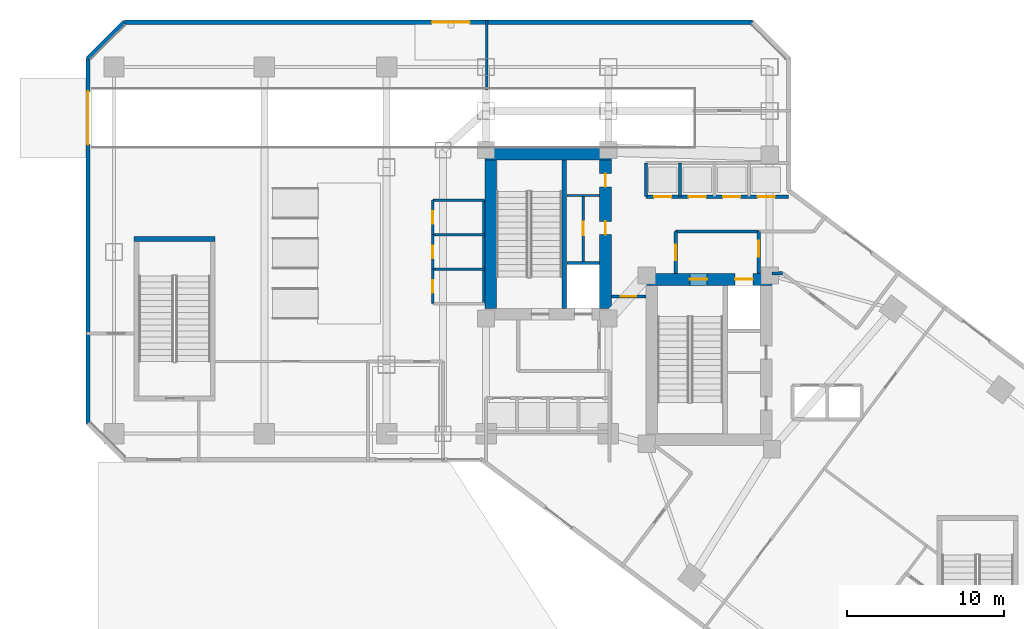
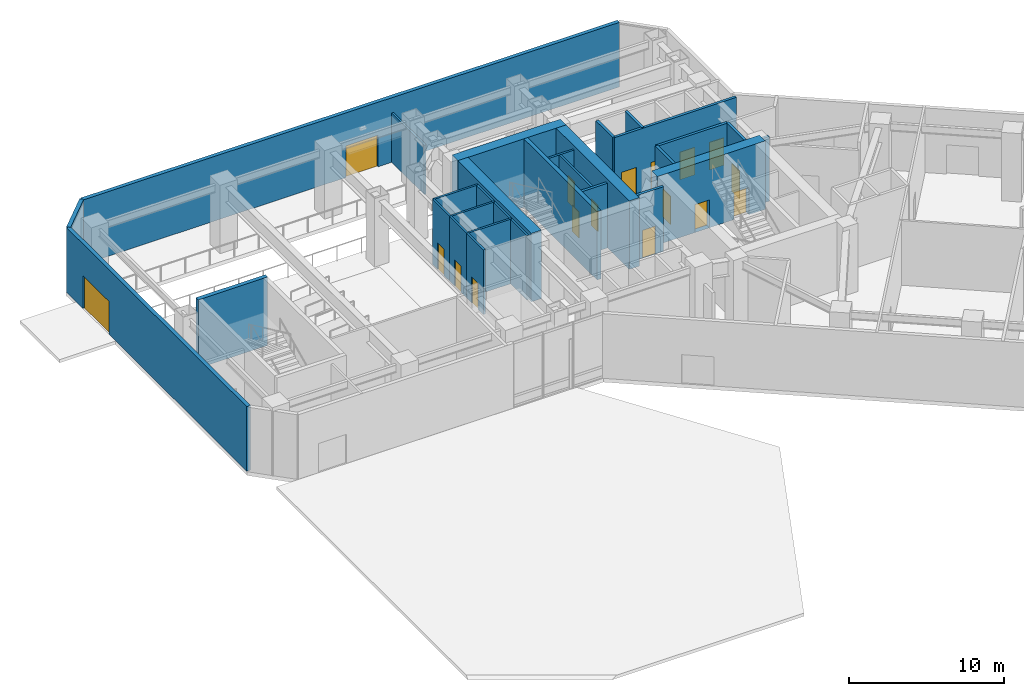
# One storey, part 6 of 13: 28 walls, 17 doors, 17 openings.
"""IFC4 building model written with IfcOpenShell, lengths in metres."""

from ifc_helpers import new_model, si_unit, direction, frame, frame_2d, origin, place, context, subcontext, project, spatial, rectangle, extrude, material, layer, layer_set, type_object, element, fill, save


model = new_model("IFC4")

# Units and contexts
model_context = context("Model", 3, precision=1e-05, world=origin(), true_north=direction((0.0, 1.0)))
body_context = subcontext(model_context, "Body", "Model", "MODEL_VIEW")
ifc_project = project(units=[si_unit("LENGTHUNIT", "METRE"), si_unit("AREAUNIT", "SQUARE_METRE"), si_unit("VOLUMEUNIT", "CUBIC_METRE"), si_unit("PLANEANGLEUNIT", "RADIAN"), si_unit("MASSUNIT", "GRAM", prefix="KILO")], contexts=[model_context])

# Site, building, storey
site_placement = place(None, origin())
site = spatial("IfcSite", under=ifc_project, at=site_placement, CompositionType="ELEMENT")
building_placement = place(site_placement, origin())
building = spatial("IfcBuilding", under=site, at=building_placement, Name="Hatsunagi Terrace Concourse", CompositionType="ELEMENT")
storey_placement = place(building_placement, origin())
storey = spatial("IfcBuildingStorey", under=building, at=storey_placement, Name="L01", CompositionType="ELEMENT", Elevation=0.0)

# Walls
ifc_material_1 = material(Name="Concrete Fc60", Category="concrete")
ifc_layer_1 = layer(ifc_material_1, 0.75)
ifc_layer_set_1 = layer_set([ifc_layer_1], Name="CoreShearWall_Fc60_750")
wall_type_1 = type_object("IfcWallType", Name="CoreShearWall_Fc60_750", PredefinedType="SHEAR", material=ifc_layer_set_1)
wall_1_placement = place(storey_placement, frame((25.469970703125, 43.044921875, 0.0), z_axis=(0.0, 0.0, 1.0), x_axis=(1.0, 0.0, 0.0)))
element("IfcWall", 1, at=wall_1_placement, inside=storey, type_object=wall_type_1, Name="Core A Shear Wall N L01", PredefinedType="SHEAR", context=body_context, shape_type="SweptSolid", body=[
    extrude(rectangle(XDim=8.080078125, YDim=0.75, at=frame_2d((4.0400390625, 0.0))), origin(), (0.0, 0.0, 1.0), 5.39990234375),
])
wall_2_placement = place(storey_placement, frame((25.844970703125, 33.18994140625, 0.0), z_axis=(0.0, 0.0, 1.0), x_axis=(0.0, 1.0, 0.0)))
element("IfcWall", 2, at=wall_2_placement, inside=storey, type_object=wall_type_1, Name="Core A Shear Wall W L01", PredefinedType="SHEAR", context=body_context, shape_type="SweptSolid", body=[
    extrude(rectangle(XDim=9.47998046875, YDim=0.75, at=frame_2d((4.739990234375, 0.0))), origin(), (0.0, 0.0, 1.0), 5.39990234375),
])

# Wall, openings, doors
wall_3_placement = place(storey_placement, frame((33.175048828125, 33.18994140625, 0.0), z_axis=(0.0, 0.0, 1.0), x_axis=(0.0, 1.0, 0.0)))
wall_3 = element("IfcWall", 3, at=wall_3_placement, inside=storey, type_object=wall_type_1, Name="Core A Shear Wall E L01", PredefinedType="SHEAR", context=body_context, shape_type="SweptSolid", body=[
    extrude(rectangle(XDim=9.47998046875, YDim=0.75, at=frame_2d((4.739990234375, 0.0))), origin(), (0.0, 0.0, 1.0), 5.39990234375),
])
opening_1_placement = place(wall_3_placement, frame((4.7099609375, 0.0, 0.0)))
opening_1 = element("IfcOpeningElement", 4, at=opening_1_placement, cuts=wall_3, Name="Opening DR-085", PredefinedType="OPENING", context=body_context, shape_type="SweptSolid", body=[
    extrude(rectangle(XDim=0.85009765625, YDim=2.080078125, at=frame_2d((0.425048828125, 1.0400390625))), frame((0.0, 0.385009765625, 0.0), z_axis=(0.0, -1.0, 0.0), x_axis=(1.0, 0.0, 0.0)), (0.0, 0.0, 1.0), 0.77001953125),
])
opening_2_placement = place(wall_3_placement, frame((7.760009765625, 0.0, 0.0)))
opening_2 = element("IfcOpeningElement", 5, at=opening_2_placement, cuts=wall_3, Name="Opening DR-085", PredefinedType="OPENING", context=body_context, shape_type="SweptSolid", body=[
    extrude(rectangle(XDim=0.85009765625, YDim=2.080078125, at=frame_2d((0.425048828125, 1.0400390625))), frame((0.0, 0.385009765625, 0.0), z_axis=(0.0, -1.0, 0.0), x_axis=(1.0, 0.0, 0.0)), (0.0, 0.0, 1.0), 0.77001953125),
])
ifc_material_2 = material(Name="Painted steel", Category="steel")
door_type_1 = type_object("IfcDoorType", Name="RiserAccessDoor_EI60_850", OperationType="NOTDEFINED", PredefinedType="DOOR", material=ifc_material_2)
door_1_placement = place(opening_1_placement, origin())
door_1 = element("IfcDoor", 6, at=door_1_placement, inside=storey, type_object=door_type_1, Name="Core A Riser Door L01-1", OperationType="SINGLE_SWING_LEFT", OverallHeight=2.080078125, OverallWidth=0.85009765625, PredefinedType="DOOR", context=body_context, shape_type="SweptSolid", body=[
    extrude(rectangle(XDim=0.85009765625, YDim=2.080078125, at=frame_2d((0.425048828125, 1.0400390625))), frame((0.0, 0.02490234375, 0.0), z_axis=(0.0, -1.0, 0.0), x_axis=(1.0, 0.0, 0.0)), (0.0, 0.0, 1.0), 0.050048828125),
])
fill(opening_1, door_1)
door_2_placement = place(opening_2_placement, origin())
door_2 = element("IfcDoor", 7, at=door_2_placement, inside=storey, type_object=door_type_1, Name="Core A Riser Door L01-2", OperationType="SINGLE_SWING_LEFT", OverallHeight=2.080078125, OverallWidth=0.85009765625, PredefinedType="DOOR", context=body_context, shape_type="SweptSolid", body=[
    extrude(rectangle(XDim=0.85009765625, YDim=2.080078125, at=frame_2d((0.425048828125, 1.0400390625))), frame((0.0, 0.02490234375, 0.0), z_axis=(0.0, -1.0, 0.0), x_axis=(1.0, 0.0, 0.0)), (0.0, 0.0, 1.0), 0.050048828125),
])
fill(opening_2, door_2)

wall_4_placement = place(storey_placement, frame((35.739990234375, 35.044921875, 0.0), z_axis=(0.0, 0.0, 1.0), x_axis=(1.0, 0.0, 0.0)))
wall_4 = element("IfcWall", 8, at=wall_4_placement, inside=storey, type_object=wall_type_1, Name="Core B Shear Wall N L01", PredefinedType="SHEAR", context=body_context, shape_type="SweptSolid", body=[
    extrude(rectangle(XDim=8.06005859375, YDim=0.75, at=frame_2d((4.030029296875, 0.0))), origin(), (0.0, 0.0, 1.0), 5.39990234375),
])
opening_3_placement = place(wall_4_placement, frame((2.81005859375, 0.0, 0.0)))
opening_3 = element("IfcOpeningElement", 9, at=opening_3_placement, cuts=wall_4, Name="Opening DR-110S", PredefinedType="OPENING", context=body_context, shape_type="SweptSolid", body=[
    extrude(rectangle(XDim=1.10009765625, YDim=2.199951171875, at=frame_2d((0.550048828125, 1.10009765625))), frame((0.0, 0.385009765625, 0.0), z_axis=(0.0, -1.0, 0.0), x_axis=(1.0, 0.0, 0.0)), (0.0, 0.0, 1.0), 0.77001953125),
])
opening_4_placement = place(wall_4_placement, frame((5.7099609375, 0.0, 0.0)))
opening_4 = element("IfcOpeningElement", 10, at=opening_4_placement, cuts=wall_4, Name="Opening LD-02", PredefinedType="OPENING", context=body_context, shape_type="SweptSolid", body=[
    extrude(rectangle(XDim=1.1201171875, YDim=2.14990234375, at=frame_2d((0.56005859375, 1.074951171875))), frame((0.0, 0.385009765625, 0.0), z_axis=(0.0, -1.0, 0.0), x_axis=(1.0, 0.0, 0.0)), (0.0, 0.0, 1.0), 0.77001953125),
])
ifc_material_3 = material(Name="Stainless steel", Category="steel")
door_type_2 = type_object("IfcDoorType", Name="LiftLandingDoor_LD02", OperationType="SLIDING_TO_RIGHT", PredefinedType="USERDEFINED", material=ifc_material_3)
door_3_placement = place(opening_4_placement, origin())
door_3 = element("IfcDoor", 11, at=door_3_placement, inside=storey, type_object=door_type_2, Name="Lift landing door FF-02 L01", ObjectType="SLIDING_LANDING_DOOR", OperationType="SLIDING_TO_RIGHT", OverallHeight=2.14990234375, OverallWidth=1.1201171875, PredefinedType="USERDEFINED", context=body_context, shape_type="SweptSolid", body=[
    extrude(rectangle(XDim=1.1201171875, YDim=2.14990234375, at=frame_2d((0.56005859375, 1.074951171875))), frame((0.0, 0.02490234375, 0.0), z_axis=(0.0, -1.0, 0.0), x_axis=(1.0, 0.0, 0.0)), (0.0, 0.0, 1.0), 0.050048828125),
])
fill(opening_4, door_3)
ifc_material_4 = material(Name="Painted steel", Category="steel")
door_type_3 = type_object("IfcDoorType", Name="StairFireDoor_EI60_1100", OperationType="NOTDEFINED", PredefinedType="DOOR", material=ifc_material_4)
door_4_placement = place(opening_3_placement, origin())
door_4 = element("IfcDoor", 12, at=door_4_placement, inside=storey, type_object=door_type_3, Name="Stair ST-B Exit Door L01", OperationType="SINGLE_SWING_RIGHT", OverallHeight=2.199951171875, OverallWidth=1.10009765625, PredefinedType="DOOR", context=body_context, shape_type="SweptSolid", body=[
    extrude(rectangle(XDim=1.10009765625, YDim=2.199951171875, at=frame_2d((0.550048828125, 1.10009765625))), frame((0.0, 0.02490234375, 0.0), z_axis=(0.0, -1.0, 0.0), x_axis=(1.0, 0.0, 0.0)), (0.0, 0.0, 1.0), 0.050048828125),
])
fill(opening_3, door_4)

# Walls
ifc_material_5 = material(Name="Concrete Fc48", Category="concrete")
ifc_layer_2 = layer(ifc_material_5, 0.300048828125)
ifc_layer_set_2 = layer_set([ifc_layer_2], Name="CoreStairDivider_Fc48_300")
wall_type_2 = type_object("IfcWallType", Name="CoreStairDivider_Fc48_300", PredefinedType="SHEAR", material=ifc_layer_set_2)
wall_5_placement = place(storey_placement, frame((30.5400390625, 33.18994140625, 0.0), z_axis=(0.0, 0.0, 1.0), x_axis=(0.0, 1.0, 0.0)))
element("IfcWall", 13, at=wall_5_placement, inside=storey, type_object=wall_type_2, Name="Core A Shear Wall D L01", PredefinedType="SHEAR", context=body_context, shape_type="SweptSolid", body=[
    extrude(rectangle(XDim=9.47998046875, YDim=0.300048828125, at=frame_2d((4.739990234375, 0.0))), origin(), (0.0, 0.0, 1.0), 5.39990234375),
])
wall_6_placement = place(storey_placement, frame((3.090087890625, 37.6201171875, 0.0), z_axis=(0.0, 0.0, 1.0), x_axis=(1.0, 0.0, 0.0)))
element("IfcWall", 14, at=wall_6_placement, inside=storey, type_object=wall_type_2, Name="Podium Stair P1 Shear Wall N L01", PredefinedType="SHEAR", context=body_context, shape_type="SweptSolid", body=[
    extrude(rectangle(XDim=5.169921875, YDim=0.300048828125, at=frame_2d((2.5849609375, 0.0))), origin(), (0.0, 0.0, 1.0), 5.39990234375),
])

# Wall, opening, door
ifc_material_6 = material(Name="Acoustic mineral board", Category="gypsum")
ifc_layer_3 = layer(ifc_material_6, 0.14990234375)
ifc_layer_set_3 = layer_set([ifc_layer_3], Name="PartitionWall_EI60_150")
wall_type_3 = type_object("IfcWallType", Name="PartitionWall_EI60_150", PredefinedType="PARTITIONING", material=ifc_layer_set_3)
wall_7_placement = place(storey_placement, frame((31.75, 36.179931640625, 0.0), z_axis=(0.0, 0.0, 1.0), x_axis=(0.0, 1.0, 0.0)))
wall_7 = element("IfcWall", 15, at=wall_7_placement, inside=storey, type_object=wall_type_3, Name="Interior Partition IW-L01-002", PredefinedType="PARTITIONING", context=body_context, shape_type="SweptSolid", body=[
    extrude(rectangle(XDim=4.239990234375, YDim=0.14990234375, at=frame_2d((2.1201171875, 0.0))), origin(), (0.0, 0.0, 1.0), 5.10009765625),
])
opening_5_placement = place(wall_7_placement, frame((1.695068359375, 0.0, 0.0)))
opening_5 = element("IfcOpeningElement", 16, at=opening_5_placement, cuts=wall_7, Name="Opening DR-085", PredefinedType="OPENING", context=body_context, shape_type="SweptSolid", body=[
    extrude(rectangle(XDim=0.85009765625, YDim=2.080078125, at=frame_2d((0.425048828125, 1.0400390625))), frame((0.0, 0.0849609375, 0.0), z_axis=(0.0, -1.0, 0.0), x_axis=(1.0, 0.0, 0.0)), (0.0, 0.0, 1.0), 0.169921875),
])
door_5_placement = place(opening_5_placement, origin())
door_5 = element("IfcDoor", 17, at=door_5_placement, inside=storey, type_object=door_type_1, Name="Core A Sub-Riser Door L01", OperationType="SINGLE_SWING_LEFT", OverallHeight=2.080078125, OverallWidth=0.85009765625, PredefinedType="DOOR", context=body_context, shape_type="SweptSolid", body=[
    extrude(rectangle(XDim=0.85009765625, YDim=2.080078125, at=frame_2d((0.425048828125, 1.0400390625))), frame((0.0, 0.02490234375, 0.0), z_axis=(0.0, -1.0, 0.0), x_axis=(1.0, 0.0, 0.0)), (0.0, 0.0, 1.0), 0.050048828125),
])
fill(opening_5, door_5)

# Walls
wall_8_placement = place(storey_placement, frame((30.699951171875, 40.39990234375, 0.0), z_axis=(0.0, 0.0, 1.0), x_axis=(1.0, 0.0, 0.0)))
element("IfcWall", 18, at=wall_8_placement, inside=storey, type_object=wall_type_3, Name="Interior Partition IW-L01-003", PredefinedType="PARTITIONING", context=body_context, shape_type="SweptSolid", body=[
    extrude(rectangle(XDim=2.10009765625, YDim=0.14990234375, at=frame_2d((1.050048828125, 0.0))), origin(), (0.0, 0.0, 1.0), 5.10009765625),
])
wall_9_placement = place(storey_placement, frame((22.14990234375, 40.10009765625, 0.0), z_axis=(0.0, 0.0, 1.0), x_axis=(1.0, 0.0, 0.0)))
element("IfcWall", 19, at=wall_9_placement, inside=storey, type_object=wall_type_3, Name="Interior Partition IW-L01-031", PredefinedType="PARTITIONING", context=body_context, shape_type="SweptSolid", body=[
    extrude(rectangle(XDim=3.300048828125, YDim=0.14990234375, at=frame_2d((1.64990234375, 0.0))), origin(), (0.0, 0.0, 1.0), 5.10009765625),
])
wall_10_placement = place(storey_placement, frame((25.39990234375, 33.5, 0.0), z_axis=(0.0, 0.0, 1.0), x_axis=(0.0, 1.0, 0.0)))
element("IfcWall", 20, at=wall_10_placement, inside=storey, type_object=wall_type_3, Name="Interior Partition IW-L01-032", PredefinedType="PARTITIONING", context=body_context, shape_type="SweptSolid", body=[
    extrude(rectangle(XDim=6.60009765625, YDim=0.14990234375, at=frame_2d((3.300048828125, 0.0))), origin(), (0.0, 0.0, 1.0), 5.10009765625),
])
for number, where, z_axis, x_axis, name in (
    (21, (22.14990234375, 35.699951171875, 0.0), (0.0, 0.0, 1.0), (1.0, 0.0, 0.0), "Interior Partition IW-L01-033"),
    (22, (22.14990234375, 37.89990234375, 0.0), (0.0, 0.0, 1.0), (1.0, 0.0, 0.0), "Interior Partition IW-L01-034"),
):
    element("IfcWall", number, at=place(storey_placement, frame(where, z_axis=z_axis, x_axis=x_axis)), inside=storey, type_object=wall_type_3, Name=name, PredefinedType="PARTITIONING", context=body_context, shape_type="SweptSolid", body=[
        extrude(rectangle(XDim=3.300048828125, YDim=0.14990234375, at=frame_2d((1.64990234375, 0.0))), origin(), (0.0, 0.0, 1.0), 5.10009765625),
    ])

# Wall, opening, door
wall_11_placement = place(storey_placement, frame((22.14990234375, 33.5, 0.0), z_axis=(0.0, 0.0, 1.0), x_axis=(0.0, 1.0, 0.0)))
wall_11 = element("IfcWall", 23, at=wall_11_placement, inside=storey, type_object=wall_type_3, Name="Interior Partition IW-L01-035", PredefinedType="PARTITIONING", context=body_context, shape_type="SweptSolid", body=[
    extrude(rectangle(XDim=2.199951171875, YDim=0.14990234375, at=frame_2d((1.10009765625, 0.0))), origin(), (0.0, 0.0, 1.0), 5.10009765625),
])
opening_6_placement = place(wall_11_placement, frame((0.699951171875, 0.0, 0.0)))
opening_6 = element("IfcOpeningElement", 24, at=opening_6_placement, cuts=wall_11, Name="Opening DR-080", PredefinedType="OPENING", context=body_context, shape_type="SweptSolid", body=[
    extrude(rectangle(XDim=0.800048828125, YDim=2.06005859375, at=frame_2d((0.39990234375, 1.030029296875))), frame((0.0, 0.0849609375, 0.0), z_axis=(0.0, -1.0, 0.0), x_axis=(1.0, 0.0, 0.0)), (0.0, 0.0, 1.0), 0.169921875),
])
ifc_material_7 = material(Name="Hardwood timber", Category="wood")
door_type_4 = type_object("IfcDoorType", Name="BathroomDoor_800", OperationType="NOTDEFINED", PredefinedType="DOOR", material=ifc_material_7)
door_6_placement = place(opening_6_placement, origin())
door_6 = element("IfcDoor", 25, at=door_6_placement, inside=storey, type_object=door_type_4, Name="Accessible WC Door L01", OperationType="SINGLE_SWING_LEFT", OverallHeight=2.06005859375, OverallWidth=0.800048828125, PredefinedType="DOOR", context=body_context, shape_type="SweptSolid", body=[
    extrude(rectangle(XDim=0.800048828125, YDim=2.06005859375, at=frame_2d((0.39990234375, 1.030029296875))), frame((0.0, 0.02490234375, 0.0), z_axis=(0.0, -1.0, 0.0), x_axis=(1.0, 0.0, 0.0)), (0.0, 0.0, 1.0), 0.050048828125),
])
fill(opening_6, door_6)

wall_12_placement = place(storey_placement, frame((22.14990234375, 35.699951171875, 0.0), z_axis=(0.0, 0.0, 1.0), x_axis=(0.0, 1.0, 0.0)))
wall_12 = element("IfcWall", 26, at=wall_12_placement, inside=storey, type_object=wall_type_3, Name="Interior Partition IW-L01-036", PredefinedType="PARTITIONING", context=body_context, shape_type="SweptSolid", body=[
    extrude(rectangle(XDim=2.199951171875, YDim=0.14990234375, at=frame_2d((1.10009765625, 0.0))), origin(), (0.0, 0.0, 1.0), 5.10009765625),
])
opening_7_placement = place(wall_12_placement, frame((0.699951171875, 0.0, 0.0)))
opening_7 = element("IfcOpeningElement", 27, at=opening_7_placement, cuts=wall_12, Name="Opening DR-080", PredefinedType="OPENING", context=body_context, shape_type="SweptSolid", body=[
    extrude(rectangle(XDim=0.800048828125, YDim=2.06005859375, at=frame_2d((0.39990234375, 1.030029296875))), frame((0.0, 0.0849609375, 0.0), z_axis=(0.0, -1.0, 0.0), x_axis=(1.0, 0.0, 0.0)), (0.0, 0.0, 1.0), 0.169921875),
])
door_7_placement = place(opening_7_placement, origin())
door_7 = element("IfcDoor", 28, at=door_7_placement, inside=storey, type_object=door_type_4, Name="Female Restroom Door L01", OperationType="SINGLE_SWING_LEFT", OverallHeight=2.06005859375, OverallWidth=0.800048828125, PredefinedType="DOOR", context=body_context, shape_type="SweptSolid", body=[
    extrude(rectangle(XDim=0.800048828125, YDim=2.06005859375, at=frame_2d((0.39990234375, 1.030029296875))), frame((0.0, 0.02490234375, 0.0), z_axis=(0.0, -1.0, 0.0), x_axis=(1.0, 0.0, 0.0)), (0.0, 0.0, 1.0), 0.050048828125),
])
fill(opening_7, door_7)

wall_13_placement = place(storey_placement, frame((22.14990234375, 37.89990234375, 0.0), z_axis=(0.0, 0.0, 1.0), x_axis=(0.0, 1.0, 0.0)))
wall_13 = element("IfcWall", 29, at=wall_13_placement, inside=storey, type_object=wall_type_3, Name="Interior Partition IW-L01-037", PredefinedType="PARTITIONING", context=body_context, shape_type="SweptSolid", body=[
    extrude(rectangle(XDim=2.2001953125, YDim=0.14990234375, at=frame_2d((1.10009765625, 0.0))), origin(), (0.0, 0.0, 1.0), 5.10009765625),
])
opening_8_placement = place(wall_13_placement, frame((0.699951171875, 0.0, 0.0)))
opening_8 = element("IfcOpeningElement", 30, at=opening_8_placement, cuts=wall_13, Name="Opening DR-080", PredefinedType="OPENING", context=body_context, shape_type="SweptSolid", body=[
    extrude(rectangle(XDim=0.800048828125, YDim=2.06005859375, at=frame_2d((0.39990234375, 1.030029296875))), frame((0.0, 0.0849609375, 0.0), z_axis=(0.0, -1.0, 0.0), x_axis=(1.0, 0.0, 0.0)), (0.0, 0.0, 1.0), 0.169921875),
])
door_8_placement = place(opening_8_placement, origin())
door_8 = element("IfcDoor", 31, at=door_8_placement, inside=storey, type_object=door_type_4, Name="Male Restroom Door L01", OperationType="SINGLE_SWING_RIGHT", OverallHeight=2.06005859375, OverallWidth=0.800048828125, PredefinedType="DOOR", context=body_context, shape_type="SweptSolid", body=[
    extrude(rectangle(XDim=0.800048828125, YDim=2.06005859375, at=frame_2d((0.39990234375, 1.030029296875))), frame((0.0, 0.02490234375, 0.0), z_axis=(0.0, -1.0, 0.0), x_axis=(1.0, 0.0, 0.0)), (0.0, 0.0, 1.0), 0.050048828125),
])
fill(opening_8, door_8)

# Walls
wall_14_placement = place(storey_placement, frame((25.60009765625, 47.1201171875, 0.0), z_axis=(0.0, 0.0, 1.0), x_axis=(0.0, 1.0, 0.0)))
element("IfcWall", 32, at=wall_14_placement, inside=storey, type_object=wall_type_3, Name="Interior Partition IW-L01-063", PredefinedType="PARTITIONING", context=body_context, shape_type="SweptSolid", body=[
    extrude(rectangle(XDim=4.43994140625, YDim=0.14990234375, at=frame_2d((2.219970703125, 0.0))), origin(), (0.0, 0.0, 1.0), 3.89501953125),
])
ifc_material_8 = material(Name="Acoustic mineral board", Category="gypsum")
ifc_layer_4 = layer(ifc_material_8, 0.199951171875)
ifc_layer_set_4 = layer_set([ifc_layer_4], Name="ShaftWall_EI120_200")
wall_type_4 = type_object("IfcWallType", Name="ShaftWall_EI120_200", PredefinedType="STANDARD", material=ifc_layer_set_4)
wall_15_placement = place(storey_placement, frame((30.699951171875, 36.10009765625, 0.0), z_axis=(0.0, 0.0, 1.0), x_axis=(1.0, 0.0, 0.0)))
element("IfcWall", 33, at=wall_15_placement, inside=storey, type_object=wall_type_4, Name="Interior Partition IW-L01-001", PredefinedType="STANDARD", context=body_context, shape_type="SweptSolid", body=[
    extrude(rectangle(XDim=2.10009765625, YDim=0.199951171875, at=frame_2d((1.050048828125, 0.0))), origin(), (0.0, 0.0, 1.0), 5.10009765625),
])
wall_16_placement = place(storey_placement, frame((37.64990234375, 38.10009765625, 0.0), z_axis=(0.0, 0.0, 1.0), x_axis=(1.0, 0.0, 0.0)))
element("IfcWall", 34, at=wall_16_placement, inside=storey, type_object=wall_type_4, Name="Interior Partition IW-L01-009", PredefinedType="STANDARD", context=body_context, shape_type="SweptSolid", body=[
    extrude(rectangle(XDim=5.300048828125, YDim=0.199951171875, at=frame_2d((2.64990234375, 0.0))), origin(), (0.0, 0.0, 1.0), 5.10009765625),
])

# Wall, opening, door
wall_17_placement = place(storey_placement, frame((42.949951171875, 35.419921875, 0.0), z_axis=(0.0, 0.0, 1.0), x_axis=(0.0, 1.0, 0.0)))
wall_17 = element("IfcWall", 35, at=wall_17_placement, inside=storey, type_object=wall_type_4, Name="Interior Partition IW-L01-010", PredefinedType="STANDARD", context=body_context, shape_type="SweptSolid", body=[
    extrude(rectangle(XDim=2.68017578125, YDim=0.199951171875, at=frame_2d((1.340087890625, 0.0))), origin(), (0.0, 0.0, 1.0), 5.10009765625),
])
opening_9_placement = place(wall_17_placement, frame((1.080078125, 0.0, 0.0)))
opening_9 = element("IfcOpeningElement", 36, at=opening_9_placement, cuts=wall_17, Name="Opening DR-100F", PredefinedType="OPENING", context=body_context, shape_type="SweptSolid", body=[
    extrude(rectangle(XDim=1.0, YDim=2.199951171875, at=frame_2d((0.5, 1.10009765625))), frame((0.0, 0.10986328125, 0.0), z_axis=(0.0, -1.0, 0.0), x_axis=(1.0, 0.0, 0.0)), (0.0, 0.0, 1.0), 0.219970703125),
])
ifc_material_9 = material(Name="Painted steel", Category="steel")
door_type_5 = type_object("IfcDoorType", Name="FireDoor_EI60_1000", OperationType="NOTDEFINED", PredefinedType="DOOR", material=ifc_material_9)
door_9_placement = place(opening_9_placement, origin())
door_9 = element("IfcDoor", 37, at=door_9_placement, inside=storey, type_object=door_type_5, Name="Firefighting Lobby B Discharge Door L01", OperationType="SINGLE_SWING_LEFT", OverallHeight=2.199951171875, OverallWidth=1.0, PredefinedType="DOOR", context=body_context, shape_type="SweptSolid", body=[
    extrude(rectangle(XDim=1.0, YDim=2.199951171875, at=frame_2d((0.5, 1.10009765625))), frame((0.0, 0.02490234375, 0.0), z_axis=(0.0, -1.0, 0.0), x_axis=(1.0, 0.0, 0.0)), (0.0, 0.0, 1.0), 0.050048828125),
])
fill(opening_9, door_9)

wall_18_placement = place(storey_placement, frame((37.64990234375, 35.419921875, 0.0), z_axis=(0.0, 0.0, 1.0), x_axis=(0.0, 1.0, 0.0)))
wall_18 = element("IfcWall", 38, at=wall_18_placement, inside=storey, type_object=wall_type_4, Name="Interior Partition IW-L01-011", PredefinedType="STANDARD", context=body_context, shape_type="SweptSolid", body=[
    extrude(rectangle(XDim=2.68017578125, YDim=0.199951171875, at=frame_2d((1.340087890625, 0.0))), origin(), (0.0, 0.0, 1.0), 5.10009765625),
])
opening_10_placement = place(wall_18_placement, frame((0.840087890625, 0.0, 0.0)))
opening_10 = element("IfcOpeningElement", 39, at=opening_10_placement, cuts=wall_18, Name="Opening DR-100F", PredefinedType="OPENING", context=body_context, shape_type="SweptSolid", body=[
    extrude(rectangle(XDim=1.0, YDim=2.199951171875, at=frame_2d((0.5, 1.10009765625))), frame((0.0, 0.10986328125, 0.0), z_axis=(0.0, -1.0, 0.0), x_axis=(1.0, 0.0, 0.0)), (0.0, 0.0, 1.0), 0.219970703125),
])
door_10_placement = place(opening_10_placement, origin())
door_10 = element("IfcDoor", 40, at=door_10_placement, inside=storey, type_object=door_type_5, Name="Firefighting Lobby B Door L01", OperationType="SINGLE_SWING_RIGHT", OverallHeight=2.199951171875, OverallWidth=1.0, PredefinedType="DOOR", context=body_context, shape_type="SweptSolid", body=[
    extrude(rectangle(XDim=1.0, YDim=2.199951171875, at=frame_2d((0.5, 1.10009765625))), frame((0.0, 0.02490234375, 0.0), z_axis=(0.0, -1.0, 0.0), x_axis=(1.0, 0.0, 0.0)), (0.0, 0.0, 1.0), 0.050048828125),
])
fill(opening_10, door_10)

# Walls
for number, where, z_axis, x_axis, name in (
    (41, (35.75, 40.320068359375, 0.0), (0.0, 0.0, 1.0), (0.0, 1.0, 0.0), "Interior Partition IW-L01-020"),
    (42, (37.919921875, 40.320068359375, 0.0), (0.0, 0.0, 1.0), (0.0, 1.0, 0.0), "Interior Partition IW-L01-021"),
):
    element("IfcWall", number, at=place(storey_placement, frame(where, z_axis=z_axis, x_axis=x_axis)), inside=storey, type_object=wall_type_4, Name=name, PredefinedType="STANDARD", context=body_context, shape_type="SweptSolid", body=[
        extrude(rectangle(XDim=2.159912109375, YDim=0.199951171875, at=frame_2d((1.080078125, 0.0))), origin(), (0.0, 0.0, 1.0), 5.10009765625),
    ])

# Wall, openings, doors
wall_19_placement = place(storey_placement, frame((35.75, 40.320068359375, 0.0), z_axis=(0.0, 0.0, 1.0), x_axis=(1.0, 0.0, 0.0)))
wall_19 = element("IfcWall", 43, at=wall_19_placement, inside=storey, type_object=wall_type_4, Name="Interior Partition IW-L01-024", PredefinedType="STANDARD", context=body_context, shape_type="SweptSolid", body=[
    extrude(rectangle(XDim=9.110107421875, YDim=0.199951171875, at=frame_2d((4.55517578125, 0.0))), origin(), (0.0, 0.0, 1.0), 5.10009765625),
])
opening_11_placement = place(wall_19_placement, frame((0.530029296875, 0.0, 0.0)))
opening_11 = element("IfcOpeningElement", 44, at=opening_11_placement, cuts=wall_19, Name="Opening LD-04", PredefinedType="OPENING", context=body_context, shape_type="SweptSolid", body=[
    extrude(rectangle(XDim=1.10009765625, YDim=2.179931640625, at=frame_2d((0.550048828125, 1.08984375))), frame((0.0, 0.10986328125, 0.0), z_axis=(0.0, -1.0, 0.0), x_axis=(1.0, 0.0, 0.0)), (0.0, 0.0, 1.0), 0.219970703125),
])
opening_12_placement = place(wall_19_placement, frame((2.72998046875, 0.0, 0.0)))
opening_12 = element("IfcOpeningElement", 45, at=opening_12_placement, cuts=wall_19, Name="Opening LD-04", PredefinedType="OPENING", context=body_context, shape_type="SweptSolid", body=[
    extrude(rectangle(XDim=1.10009765625, YDim=2.179931640625, at=frame_2d((0.550048828125, 1.08984375))), frame((0.0, 0.10986328125, 0.0), z_axis=(0.0, -1.0, 0.0), x_axis=(1.0, 0.0, 0.0)), (0.0, 0.0, 1.0), 0.219970703125),
])
opening_13_placement = place(wall_19_placement, frame((4.929931640625, 0.0, 0.0)))
opening_13 = element("IfcOpeningElement", 46, at=opening_13_placement, cuts=wall_19, Name="Opening LD-04", PredefinedType="OPENING", context=body_context, shape_type="SweptSolid", body=[
    extrude(rectangle(XDim=1.10009765625, YDim=2.179931640625, at=frame_2d((0.550048828125, 1.08984375))), frame((0.0, 0.10986328125, 0.0), z_axis=(0.0, -1.0, 0.0), x_axis=(1.0, 0.0, 0.0)), (0.0, 0.0, 1.0), 0.219970703125),
])
opening_14_placement = place(wall_19_placement, frame((7.1298828125, 0.0, 0.0)))
opening_14 = element("IfcOpeningElement", 47, at=opening_14_placement, cuts=wall_19, Name="Opening LD-04", PredefinedType="OPENING", context=body_context, shape_type="SweptSolid", body=[
    extrude(rectangle(XDim=1.10009765625, YDim=2.179931640625, at=frame_2d((0.550048828125, 1.08984375))), frame((0.0, 0.10986328125, 0.0), z_axis=(0.0, -1.0, 0.0), x_axis=(1.0, 0.0, 0.0)), (0.0, 0.0, 1.0), 0.219970703125),
])
ifc_material_10 = material(Name="Stainless steel", Category="steel")
door_type_6 = type_object("IfcDoorType", Name="LiftLandingDoor_LD04", OperationType="SLIDING_TO_RIGHT", PredefinedType="USERDEFINED", material=ifc_material_10)
door_11_placement = place(opening_11_placement, origin())
door_11 = element("IfcDoor", 48, at=door_11_placement, inside=storey, type_object=door_type_6, Name="Lift landing door PL-05 L01", ObjectType="SLIDING_LANDING_DOOR", OperationType="SLIDING_TO_RIGHT", OverallHeight=2.179931640625, OverallWidth=1.10009765625, PredefinedType="USERDEFINED", context=body_context, shape_type="SweptSolid", body=[
    extrude(rectangle(XDim=1.10009765625, YDim=2.179931640625, at=frame_2d((0.550048828125, 1.08984375))), frame((0.0, 0.02490234375, 0.0), z_axis=(0.0, -1.0, 0.0), x_axis=(1.0, 0.0, 0.0)), (0.0, 0.0, 1.0), 0.050048828125),
])
fill(opening_11, door_11)
door_12_placement = place(opening_12_placement, origin())
door_12 = element("IfcDoor", 49, at=door_12_placement, inside=storey, type_object=door_type_6, Name="Lift landing door PL-06 L01", ObjectType="SLIDING_LANDING_DOOR", OperationType="SLIDING_TO_RIGHT", OverallHeight=2.179931640625, OverallWidth=1.10009765625, PredefinedType="USERDEFINED", context=body_context, shape_type="SweptSolid", body=[
    extrude(rectangle(XDim=1.10009765625, YDim=2.179931640625, at=frame_2d((0.550048828125, 1.08984375))), frame((0.0, 0.02490234375, 0.0), z_axis=(0.0, -1.0, 0.0), x_axis=(1.0, 0.0, 0.0)), (0.0, 0.0, 1.0), 0.050048828125),
])
fill(opening_12, door_12)
door_13_placement = place(opening_13_placement, origin())
door_13 = element("IfcDoor", 50, at=door_13_placement, inside=storey, type_object=door_type_6, Name="Lift landing door PL-07 L01", ObjectType="SLIDING_LANDING_DOOR", OperationType="SLIDING_TO_RIGHT", OverallHeight=2.179931640625, OverallWidth=1.10009765625, PredefinedType="USERDEFINED", context=body_context, shape_type="SweptSolid", body=[
    extrude(rectangle(XDim=1.10009765625, YDim=2.179931640625, at=frame_2d((0.550048828125, 1.08984375))), frame((0.0, 0.02490234375, 0.0), z_axis=(0.0, -1.0, 0.0), x_axis=(1.0, 0.0, 0.0)), (0.0, 0.0, 1.0), 0.050048828125),
])
fill(opening_13, door_13)
door_14_placement = place(opening_14_placement, origin())
door_14 = element("IfcDoor", 51, at=door_14_placement, inside=storey, type_object=door_type_6, Name="Lift landing door PL-08 L01", ObjectType="SLIDING_LANDING_DOOR", OperationType="SLIDING_TO_RIGHT", OverallHeight=2.179931640625, OverallWidth=1.10009765625, PredefinedType="USERDEFINED", context=body_context, shape_type="SweptSolid", body=[
    extrude(rectangle(XDim=1.10009765625, YDim=2.179931640625, at=frame_2d((0.550048828125, 1.08984375))), frame((0.0, 0.02490234375, 0.0), z_axis=(0.0, -1.0, 0.0), x_axis=(1.0, 0.0, 0.0)), (0.0, 0.0, 1.0), 0.050048828125),
])
fill(opening_14, door_14)

# Wall, opening, door
wall_20_placement = place(storey_placement, frame((33.550048828125, 33.949951171875, 0.0), z_axis=(0.0, 0.0, 1.0), x_axis=(1.0, 0.0, 0.0)))
wall_20 = element("IfcWall", 52, at=wall_20_placement, inside=storey, type_object=wall_type_4, Name="Interior Partition IW-L01-047", PredefinedType="STANDARD", context=body_context, shape_type="SweptSolid", body=[
    extrude(rectangle(XDim=2.18994140625, YDim=0.199951171875, at=frame_2d((1.094970703125, 0.0))), origin(), (0.0, 0.0, 1.0), 5.10009765625),
])
opening_15_placement = place(wall_20_placement, frame((0.594970703125, 0.0, 0.0)))
opening_15 = element("IfcOpeningElement", 53, at=opening_15_placement, cuts=wall_20, Name="Opening DR-100F", PredefinedType="OPENING", context=body_context, shape_type="SweptSolid", body=[
    extrude(rectangle(XDim=1.0, YDim=2.199951171875, at=frame_2d((0.5, 1.10009765625))), frame((0.0, 0.10986328125, 0.0), z_axis=(0.0, -1.0, 0.0), x_axis=(1.0, 0.0, 0.0)), (0.0, 0.0, 1.0), 0.219970703125),
])
door_15_placement = place(opening_15_placement, origin())
door_15 = element("IfcDoor", 54, at=door_15_placement, inside=storey, type_object=door_type_5, Name="Exit Passageway EXP3 North Door L01", OperationType="SINGLE_SWING_RIGHT", OverallHeight=2.199951171875, OverallWidth=1.0, PredefinedType="DOOR", context=body_context, shape_type="SweptSolid", body=[
    extrude(rectangle(XDim=1.0, YDim=2.199951171875, at=frame_2d((0.5, 1.10009765625))), frame((0.0, 0.02490234375, 0.0), z_axis=(0.0, -1.0, 0.0), x_axis=(1.0, 0.0, 0.0)), (0.0, 0.0, 1.0), 0.050048828125),
])
fill(opening_15, door_15)

# Wall
wall_21_placement = place(storey_placement, frame((43.800048828125, 35.419921875, 0.0), z_axis=(0.0, 0.0, 1.0), x_axis=(0.999566823339, 0.029430692824, 0.0)))
element("IfcWall", 55, at=wall_21_placement, inside=storey, type_object=wall_type_4, Name="Interior Partition IW-L01-053", PredefinedType="STANDARD", context=body_context, shape_type="SweptSolid", body=[
    extrude(rectangle(XDim=0.68017578125, YDim=0.199951171875, at=frame_2d((0.340087890625, 0.0))), origin(), (0.0, 0.0, 1.0), 5.10009765625),
])

# Wall, opening, door
ifc_material_11 = material(Name="Autoclaved Lightweight Concrete and Terracotta Cladding", Category="masonry")
ifc_layer_5 = layer(ifc_material_11, 0.280029296875)
ifc_layer_set_5 = layer_set([ifc_layer_5], Name="TerracottaSpandrelWall_280")
wall_type_5 = type_object("IfcWallType", Name="TerracottaSpandrelWall_280", PredefinedType="STANDARD", material=ifc_layer_set_5)
wall_22_placement = place(storey_placement, frame((0.139892578125, 25.85791015625, 0.0), z_axis=(0.0, 0.0, 1.0), x_axis=(0.0, 1.0, 0.0)))
wall_22 = element("IfcWall", 56, at=wall_22_placement, inside=storey, type_object=wall_type_5, Name="Exterior Spandrel Wall EW-L01-09", PredefinedType="STANDARD", context=body_context, shape_type="SweptSolid", body=[
    extrude(rectangle(XDim=23.2841796875, YDim=0.280029296875, at=frame_2d((11.64208984375, 0.0))), origin(), (0.0, 0.0, 1.0), 5.10009765625),
])
opening_16_placement = place(wall_22_placement, frame((17.7919921875, 0.0, 0.0)))
opening_16 = element("IfcOpeningElement", 57, at=opening_16_placement, cuts=wall_22, Name="Opening VG-01", PredefinedType="OPENING", context=body_context, shape_type="SweptSolid", body=[
    extrude(rectangle(XDim=3.39990234375, YDim=2.60009765625, at=frame_2d((1.699951171875, 1.300048828125))), frame((0.0, 0.14990234375, 0.0), z_axis=(0.0, -1.0, 0.0), x_axis=(1.0, 0.0, 0.0)), (0.0, 0.0, 1.0), 0.300048828125),
])
ifc_material_12 = material(Name="Galvanised Steel and Laminated Safety Glass", Category="steel")
door_type_7 = type_object("IfcDoorType", Name="CarParkRampRollerGate_3400x2600", OperationType="ROLLINGUP", PredefinedType="GATE", material=ifc_material_12)
door_16_placement = place(opening_16_placement, origin())
door_16 = element("IfcDoor", 58, at=door_16_placement, inside=storey, type_object=door_type_7, Name="L01 Car Park Ramp Fire Roller Gate VG-01", OperationType="ROLLINGUP", OverallHeight=2.60009765625, OverallWidth=3.39990234375, PredefinedType="GATE", context=body_context, shape_type="SweptSolid", body=[
    extrude(rectangle(XDim=3.39990234375, YDim=2.60009765625, at=frame_2d((1.699951171875, 1.300048828125))), frame((0.0, 0.02490234375, 0.0), z_axis=(0.0, -1.0, 0.0), x_axis=(1.0, 0.0, 0.0)), (0.0, 0.0, 1.0), 0.050048828125),
])
fill(opening_16, door_16)

# Wall
wall_23_placement = place(storey_placement, frame((0.139892578125, 49.14208984375, 0.0), z_axis=(0.0, 0.0, 1.0), x_axis=(0.707144017911, 0.707069542501, 0.0)))
element("IfcWall", 59, at=wall_23_placement, inside=storey, type_object=wall_type_5, Name="Exterior Spandrel Wall EW-L01-10", PredefinedType="STANDARD", context=body_context, shape_type="SweptSolid", body=[
    extrude(rectangle(XDim=3.278076171875, YDim=0.280029296875, at=frame_2d((1.63916015625, 0.0))), origin(), (0.0, 0.0, 1.0), 5.10009765625),
])

# Wall, opening, door
wall_24_placement = place(storey_placement, frame((2.4580078125, 51.4599609375, 0.0), z_axis=(0.0, 0.0, 1.0), x_axis=(1.0, 0.0, 0.0)))
wall_24 = element("IfcWall", 60, at=wall_24_placement, inside=storey, type_object=wall_type_5, Name="Exterior Spandrel Wall EW-L01-11", PredefinedType="STANDARD", context=body_context, shape_type="SweptSolid", body=[
    extrude(rectangle(XDim=40.083984375, YDim=0.280029296875, at=frame_2d((20.0419921875, 0.0))), origin(), (0.0, 0.0, 1.0), 5.10009765625),
])
opening_17_placement = place(wall_24_placement, frame((19.64404296875, 0.0, 0.0)))
opening_17 = element("IfcOpeningElement", 61, at=opening_17_placement, cuts=wall_24, Name="Opening ED-01", PredefinedType="OPENING", context=body_context, shape_type="SweptSolid", body=[
    extrude(rectangle(XDim=2.39990234375, YDim=2.5, at=frame_2d((1.199951171875, 1.25))), frame((0.0, 0.14990234375, 0.0), z_axis=(0.0, -1.0, 0.0), x_axis=(1.0, 0.0, 0.0)), (0.0, 0.0, 1.0), 0.300048828125),
])
ifc_material_13 = material(Name="Galvanised Steel and Laminated Safety Glass", Category="steel")
door_type_8 = type_object("IfcDoorType", Name="ConcourseMainEntranceDoor_2400x2500", OperationType="DOUBLE_DOOR_SINGLE_SWING", PredefinedType="DOOR", material=ifc_material_13)
door_17_placement = place(opening_17_placement, origin())
door_17 = element("IfcDoor", 62, at=door_17_placement, inside=storey, type_object=door_type_8, Name="Concourse Entrance Door 11", OperationType="DOUBLE_DOOR_SINGLE_SWING", OverallHeight=2.5, OverallWidth=2.39990234375, PredefinedType="DOOR", context=body_context, shape_type="SweptSolid", body=[
    extrude(rectangle(XDim=2.39990234375, YDim=2.5, at=frame_2d((1.199951171875, 1.25))), frame((0.0, 0.02490234375, 0.0), z_axis=(0.0, -1.0, 0.0), x_axis=(1.0, 0.0, 0.0)), (0.0, 0.0, 1.0), 0.050048828125),
])
fill(opening_17, door_17)

save(model, "model.ifc")
